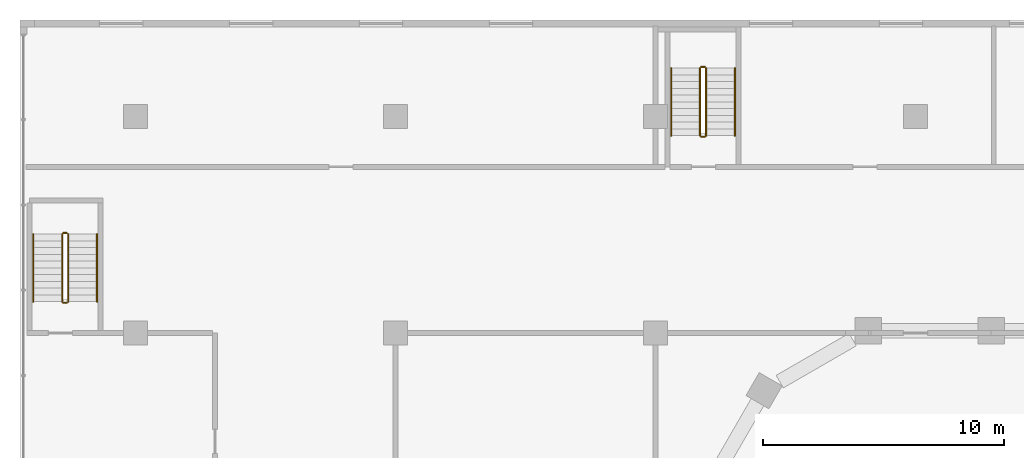
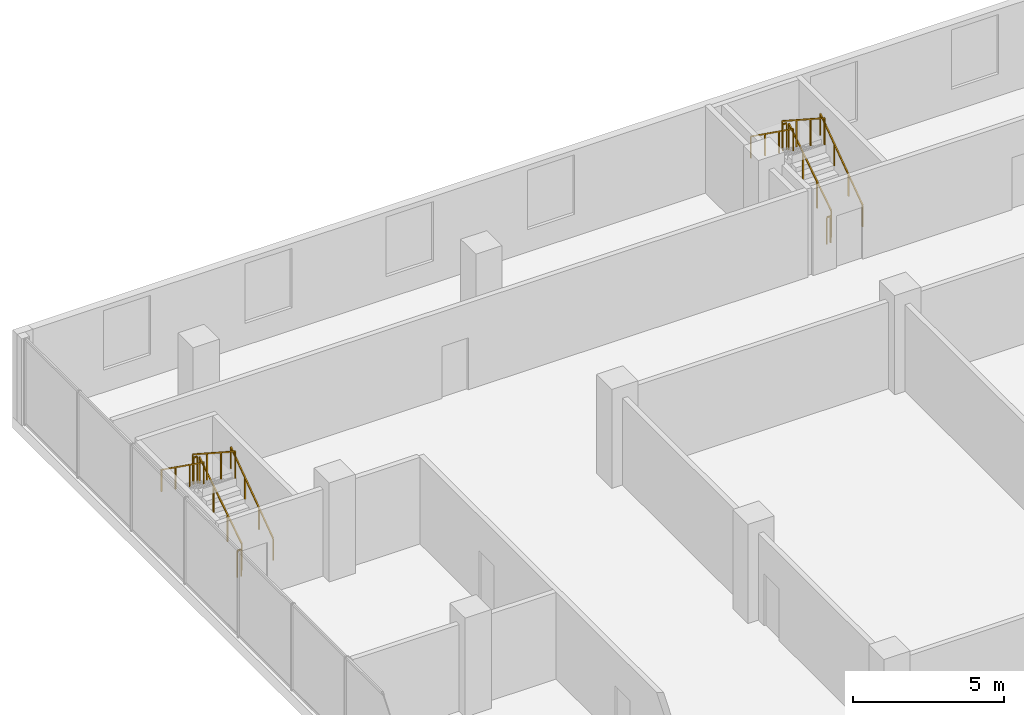
# One storey, part 44 of 45: 12 railings.
"""IFC4 building model written with IfcOpenShell, lengths in metres."""

from ifc_helpers import new_model, si_unit, direction, frame, origin, origin_2d, place, context, subcontext, project, spatial, rectangle, extrude, material, type_object, element, save


model = new_model("IFC4")

# Units and contexts
model_context = context("Model", 3, precision=1e-05, world=origin(), true_north=direction((0.0, 1.0)))
body_context = subcontext(model_context, "Body", "Model", "MODEL_VIEW")
ifc_project = project(units=[si_unit("LENGTHUNIT", "METRE"), si_unit("AREAUNIT", "SQUARE_METRE"), si_unit("VOLUMEUNIT", "CUBIC_METRE"), si_unit("PLANEANGLEUNIT", "RADIAN"), si_unit("MASSUNIT", "GRAM", prefix="KILO")], contexts=[model_context])

# Site, building, storey
site_placement = place(None, origin())
site = spatial("IfcSite", under=ifc_project, at=site_placement, CompositionType="ELEMENT")
building_placement = place(site_placement, origin())
building = spatial("IfcBuilding", under=site, at=building_placement, Name="Beryl Residences", CompositionType="ELEMENT")
storey_placement = place(building_placement, frame((0.0, 0.0, 5.0)))
storey = spatial("IfcBuildingStorey", under=building, at=storey_placement, Name="L01", CompositionType="ELEMENT", Elevation=5.0)

# Railings
ifc_material_1 = material(Name="Stainless steel balustrade with glass infill", Category="steel")
railing_type_1 = type_object("IfcRailingType", Name="SG1 stair guard 1100 mm", PredefinedType="GUARDRAIL", material=ifc_material_1)
railing_1_placement = place(storey_placement, frame((-19.5, 35.199951171875, 0.181884765625)))
element("IfcRailing", 1, at=railing_1_placement, inside=storey, type_object=railing_type_1, Name="L01 PS-1 stair guard 1", PredefinedType="GUARDRAIL", context=body_context, shape_type="SweptSolid", body=[
    extrude(rectangle(XDim=0.048095703125, YDim=0.048095703125, at=origin_2d()), frame((0.0, 0.0, 1.076171875), z_axis=(0.0, 0.838705829183, 0.544584733623), x_axis=(-1.0, 0.0, 0.0)), (0.0, 0.0, 1.0), 3.338623046875),
    extrude(rectangle(XDim=0.0419921875, YDim=0.0419921875, at=origin_2d()), origin(), (0.0, 0.0, 1.0), 1.052001953125),
    extrude(rectangle(XDim=0.0419921875, YDim=0.0419921875, at=origin_2d()), frame((0.0, 0.933349609375, 0.60595703125)), (0.0, 0.0, 1.0), 1.052001953125),
    extrude(rectangle(XDim=0.0419921875, YDim=0.0419921875, at=origin_2d()), frame((0.0, 1.86669921875, 1.212158203125)), (0.0, 0.0, 1.0), 1.052001953125),
    extrude(rectangle(XDim=0.0419921875, YDim=0.0419921875, at=origin_2d()), frame((0.0, 2.800048828125, 1.818115234375)), (0.0, 0.0, 1.0), 1.052001953125),
])
railing_2_placement = place(storey_placement, frame((-19.550048828125, 38.050048828125, 2.0)))
element("IfcRailing", 2, at=railing_2_placement, inside=storey, type_object=railing_type_1, Name="L01 PS-1 stair guard 2", PredefinedType="GUARDRAIL", context=body_context, shape_type="SweptSolid", body=[
    extrude(rectangle(XDim=0.048095703125, YDim=0.048095703125, at=origin_2d()), frame((0.0, 0.0, 1.076171875), z_axis=(-1.0, 0.0, 0.0), x_axis=(0.0, -1.0, 0.0)), (0.0, 0.0, 1.0), 0.14990234375),
    extrude(rectangle(XDim=0.0419921875, YDim=0.0419921875, at=origin_2d()), origin(), (0.0, 0.0, 1.0), 1.052001953125),
    extrude(rectangle(XDim=0.0419921875, YDim=0.0419921875, at=origin_2d()), frame((-0.14990234375, 0.0, 0.0)), (0.0, 0.0, 1.0), 1.052001953125),
])
railing_3_placement = place(storey_placement, frame((-19.75, 38.0, 2.181884765625)))
element("IfcRailing", 3, at=railing_3_placement, inside=storey, type_object=railing_type_1, Name="L01 PS-1 stair guard 3", PredefinedType="GUARDRAIL", context=body_context, shape_type="SweptSolid", body=[
    extrude(rectangle(XDim=0.048095703125, YDim=0.048095703125, at=origin_2d()), frame((0.0, 0.0, 1.076171875), z_axis=(0.0, -0.838705829183, 0.544584733623), x_axis=(1.0, 0.0, 0.0)), (0.0, 0.0, 1.0), 3.338623046875),
    extrude(rectangle(XDim=0.0419921875, YDim=0.0419921875, at=origin_2d()), origin(), (0.0, 0.0, 1.0), 1.052001953125),
    extrude(rectangle(XDim=0.0419921875, YDim=0.0419921875, at=origin_2d()), frame((0.0, -0.933349609375, 0.60595703125)), (0.0, 0.0, 1.0), 1.052001953125),
    extrude(rectangle(XDim=0.0419921875, YDim=0.0419921875, at=origin_2d()), frame((0.0, -1.86669921875, 1.212158203125)), (0.0, 0.0, 1.0), 1.052001953125),
    extrude(rectangle(XDim=0.0419921875, YDim=0.0419921875, at=origin_2d()), frame((0.0, -2.800048828125, 1.818115234375)), (0.0, 0.0, 1.0), 1.052001953125),
])
railing_4_placement = place(storey_placement, frame((-19.550048828125, 35.14990234375, 0.0)))
element("IfcRailing", 4, at=railing_4_placement, inside=storey, type_object=railing_type_1, Name="L01 PS-1 stair guard 4", PredefinedType="GUARDRAIL", context=body_context, shape_type="SweptSolid", body=[
    extrude(rectangle(XDim=0.048095703125, YDim=0.048095703125, at=origin_2d()), frame((0.0, 0.0, 1.076171875), z_axis=(-1.0, 0.0, 0.0), x_axis=(0.0, -1.0, 0.0)), (0.0, 0.0, 1.0), 0.14990234375),
    extrude(rectangle(XDim=0.0419921875, YDim=0.0419921875, at=origin_2d()), origin(), (0.0, 0.0, 1.0), 1.052001953125),
    extrude(rectangle(XDim=0.0419921875, YDim=0.0419921875, at=origin_2d()), frame((-0.14990234375, 0.0, 0.0)), (0.0, 0.0, 1.0), 1.052001953125),
])
railing_5_placement = place(storey_placement, frame((-46.0, 28.300048828125, 0.181884765625)))
element("IfcRailing", 5, at=railing_5_placement, inside=storey, type_object=railing_type_1, Name="L01 PS-3 stair guard 1", PredefinedType="GUARDRAIL", context=body_context, shape_type="SweptSolid", body=[
    extrude(rectangle(XDim=0.048095703125, YDim=0.048095703125, at=origin_2d()), frame((0.0, 0.0, 1.076171875), z_axis=(0.0, 0.838705829183, 0.544584733623), x_axis=(-1.0, 0.0, 0.0)), (0.0, 0.0, 1.0), 3.338623046875),
    extrude(rectangle(XDim=0.0419921875, YDim=0.0419921875, at=origin_2d()), origin(), (0.0, 0.0, 1.0), 1.052001953125),
    extrude(rectangle(XDim=0.0419921875, YDim=0.0419921875, at=origin_2d()), frame((0.0, 0.933349609375, 0.60595703125)), (0.0, 0.0, 1.0), 1.052001953125),
    extrude(rectangle(XDim=0.0419921875, YDim=0.0419921875, at=origin_2d()), frame((0.0, 1.86669921875, 1.212158203125)), (0.0, 0.0, 1.0), 1.052001953125),
    extrude(rectangle(XDim=0.0419921875, YDim=0.0419921875, at=origin_2d()), frame((0.0, 2.800048828125, 1.818115234375)), (0.0, 0.0, 1.0), 1.052001953125),
])
railing_6_placement = place(storey_placement, frame((-46.050048828125, 31.14990234375, 2.0)))
element("IfcRailing", 6, at=railing_6_placement, inside=storey, type_object=railing_type_1, Name="L01 PS-3 stair guard 2", PredefinedType="GUARDRAIL", context=body_context, shape_type="SweptSolid", body=[
    extrude(rectangle(XDim=0.048095703125, YDim=0.048095703125, at=origin_2d()), frame((0.0, 0.0, 1.076171875), z_axis=(-1.0, 0.0, 0.0), x_axis=(0.0, -1.0, 0.0)), (0.0, 0.0, 1.0), 0.14990234375),
    extrude(rectangle(XDim=0.0419921875, YDim=0.0419921875, at=origin_2d()), origin(), (0.0, 0.0, 1.0), 1.052001953125),
    extrude(rectangle(XDim=0.0419921875, YDim=0.0419921875, at=origin_2d()), frame((-0.14990234375, 0.0, 0.0)), (0.0, 0.0, 1.0), 1.052001953125),
])
railing_7_placement = place(storey_placement, frame((-46.25, 31.10009765625, 2.181884765625)))
element("IfcRailing", 7, at=railing_7_placement, inside=storey, type_object=railing_type_1, Name="L01 PS-3 stair guard 3", PredefinedType="GUARDRAIL", context=body_context, shape_type="SweptSolid", body=[
    extrude(rectangle(XDim=0.048095703125, YDim=0.048095703125, at=origin_2d()), frame((0.0, 0.0, 1.076171875), z_axis=(0.0, -0.838705829183, 0.544584733623), x_axis=(1.0, 0.0, 0.0)), (0.0, 0.0, 1.0), 3.338623046875),
    extrude(rectangle(XDim=0.0419921875, YDim=0.0419921875, at=origin_2d()), origin(), (0.0, 0.0, 1.0), 1.052001953125),
    extrude(rectangle(XDim=0.0419921875, YDim=0.0419921875, at=origin_2d()), frame((0.0, -0.933349609375, 0.60595703125)), (0.0, 0.0, 1.0), 1.052001953125),
    extrude(rectangle(XDim=0.0419921875, YDim=0.0419921875, at=origin_2d()), frame((0.0, -1.86669921875, 1.212158203125)), (0.0, 0.0, 1.0), 1.052001953125),
    extrude(rectangle(XDim=0.0419921875, YDim=0.0419921875, at=origin_2d()), frame((0.0, -2.800048828125, 1.818115234375)), (0.0, 0.0, 1.0), 1.052001953125),
])
railing_8_placement = place(storey_placement, frame((-46.050048828125, 28.25, 0.0)))
element("IfcRailing", 8, at=railing_8_placement, inside=storey, type_object=railing_type_1, Name="L01 PS-3 stair guard 4", PredefinedType="GUARDRAIL", context=body_context, shape_type="SweptSolid", body=[
    extrude(rectangle(XDim=0.048095703125, YDim=0.048095703125, at=origin_2d()), frame((0.0, 0.0, 1.076171875), z_axis=(-1.0, 0.0, 0.0), x_axis=(0.0, -1.0, 0.0)), (0.0, 0.0, 1.0), 0.14990234375),
    extrude(rectangle(XDim=0.0419921875, YDim=0.0419921875, at=origin_2d()), origin(), (0.0, 0.0, 1.0), 1.052001953125),
    extrude(rectangle(XDim=0.0419921875, YDim=0.0419921875, at=origin_2d()), frame((-0.14990234375, 0.0, 0.0)), (0.0, 0.0, 1.0), 1.052001953125),
])
ifc_material_2 = material(Name="Stainless steel handrail", Category="steel")
railing_type_2 = type_object("IfcRailingType", Name="SRL1 stair handrail 900 mm", PredefinedType="HANDRAIL", material=ifc_material_2)
railing_9_placement = place(storey_placement, frame((-18.300048828125, 35.199951171875, 0.181884765625)))
element("IfcRailing", 9, at=railing_9_placement, inside=storey, type_object=railing_type_2, Name="L01 PS-1 stair handrail 1", PredefinedType="HANDRAIL", context=body_context, shape_type="SweptSolid", body=[
    extrude(rectangle(XDim=0.048095703125, YDim=0.048095703125, at=origin_2d()), frame((0.0, 0.0, 0.8759765625), z_axis=(0.0, 0.813738265173, 0.581231482108), x_axis=(-1.0, 0.0, 0.0)), (0.0, 0.0, 1.0), 3.44091796875),
    extrude(rectangle(XDim=0.0419921875, YDim=0.0419921875, at=origin_2d()), origin(), (0.0, 0.0, 1.0), 0.851806640625),
    extrude(rectangle(XDim=0.0419921875, YDim=0.0419921875, at=origin_2d()), frame((0.0, 0.933349609375, 0.666748046875)), (0.0, 0.0, 1.0), 0.851806640625),
    extrude(rectangle(XDim=0.0419921875, YDim=0.0419921875, at=origin_2d()), frame((0.0, 1.86669921875, 1.333251953125)), (0.0, 0.0, 1.0), 0.851806640625),
    extrude(rectangle(XDim=0.0419921875, YDim=0.0419921875, at=origin_2d()), frame((0.0, 2.800048828125, 2.0)), (0.0, 0.0, 1.0), 0.851806640625),
])
railing_10_placement = place(storey_placement, frame((-20.949951171875, 38.0, 2.181884765625)))
element("IfcRailing", 10, at=railing_10_placement, inside=storey, type_object=railing_type_2, Name="L01 PS-1 stair handrail 2", PredefinedType="HANDRAIL", context=body_context, shape_type="SweptSolid", body=[
    extrude(rectangle(XDim=0.048095703125, YDim=0.048095703125, at=origin_2d()), frame((0.0, 0.0, 0.8759765625), z_axis=(0.0, -0.813738265173, 0.581231482108), x_axis=(1.0, 0.0, 0.0)), (0.0, 0.0, 1.0), 3.44091796875),
    extrude(rectangle(XDim=0.0419921875, YDim=0.0419921875, at=origin_2d()), origin(), (0.0, 0.0, 1.0), 0.851806640625),
    extrude(rectangle(XDim=0.0419921875, YDim=0.0419921875, at=origin_2d()), frame((0.0, -0.933349609375, 0.666748046875)), (0.0, 0.0, 1.0), 0.851806640625),
    extrude(rectangle(XDim=0.0419921875, YDim=0.0419921875, at=origin_2d()), frame((0.0, -1.86669921875, 1.333251953125)), (0.0, 0.0, 1.0), 0.851806640625),
    extrude(rectangle(XDim=0.0419921875, YDim=0.0419921875, at=origin_2d()), frame((0.0, -2.800048828125, 2.0)), (0.0, 0.0, 1.0), 0.851806640625),
])
railing_11_placement = place(storey_placement, frame((-44.800048828125, 28.300048828125, 0.181884765625)))
element("IfcRailing", 11, at=railing_11_placement, inside=storey, type_object=railing_type_2, Name="L01 PS-3 stair handrail 1", PredefinedType="HANDRAIL", context=body_context, shape_type="SweptSolid", body=[
    extrude(rectangle(XDim=0.048095703125, YDim=0.048095703125, at=origin_2d()), frame((0.0, 0.0, 0.8759765625), z_axis=(0.0, 0.813738265173, 0.581231482108), x_axis=(-1.0, 0.0, 0.0)), (0.0, 0.0, 1.0), 3.44091796875),
    extrude(rectangle(XDim=0.0419921875, YDim=0.0419921875, at=origin_2d()), origin(), (0.0, 0.0, 1.0), 0.851806640625),
    extrude(rectangle(XDim=0.0419921875, YDim=0.0419921875, at=origin_2d()), frame((0.0, 0.933349609375, 0.666748046875)), (0.0, 0.0, 1.0), 0.851806640625),
    extrude(rectangle(XDim=0.0419921875, YDim=0.0419921875, at=origin_2d()), frame((0.0, 1.86669921875, 1.333251953125)), (0.0, 0.0, 1.0), 0.851806640625),
    extrude(rectangle(XDim=0.0419921875, YDim=0.0419921875, at=origin_2d()), frame((0.0, 2.800048828125, 2.0)), (0.0, 0.0, 1.0), 0.851806640625),
])
railing_12_placement = place(storey_placement, frame((-47.449951171875, 31.10009765625, 2.181884765625)))
element("IfcRailing", 12, at=railing_12_placement, inside=storey, type_object=railing_type_2, Name="L01 PS-3 stair handrail 2", PredefinedType="HANDRAIL", context=body_context, shape_type="SweptSolid", body=[
    extrude(rectangle(XDim=0.048095703125, YDim=0.048095703125, at=origin_2d()), frame((0.0, 0.0, 0.8759765625), z_axis=(0.0, -0.813738265173, 0.581231482108), x_axis=(1.0, 0.0, 0.0)), (0.0, 0.0, 1.0), 3.44091796875),
    extrude(rectangle(XDim=0.0419921875, YDim=0.0419921875, at=origin_2d()), origin(), (0.0, 0.0, 1.0), 0.851806640625),
    extrude(rectangle(XDim=0.0419921875, YDim=0.0419921875, at=origin_2d()), frame((0.0, -0.933349609375, 0.666748046875)), (0.0, 0.0, 1.0), 0.851806640625),
    extrude(rectangle(XDim=0.0419921875, YDim=0.0419921875, at=origin_2d()), frame((0.0, -1.86669921875, 1.333251953125)), (0.0, 0.0, 1.0), 0.851806640625),
    extrude(rectangle(XDim=0.0419921875, YDim=0.0419921875, at=origin_2d()), frame((0.0, -2.800048828125, 2.0)), (0.0, 0.0, 1.0), 0.851806640625),
])

save(model, "model.ifc")
